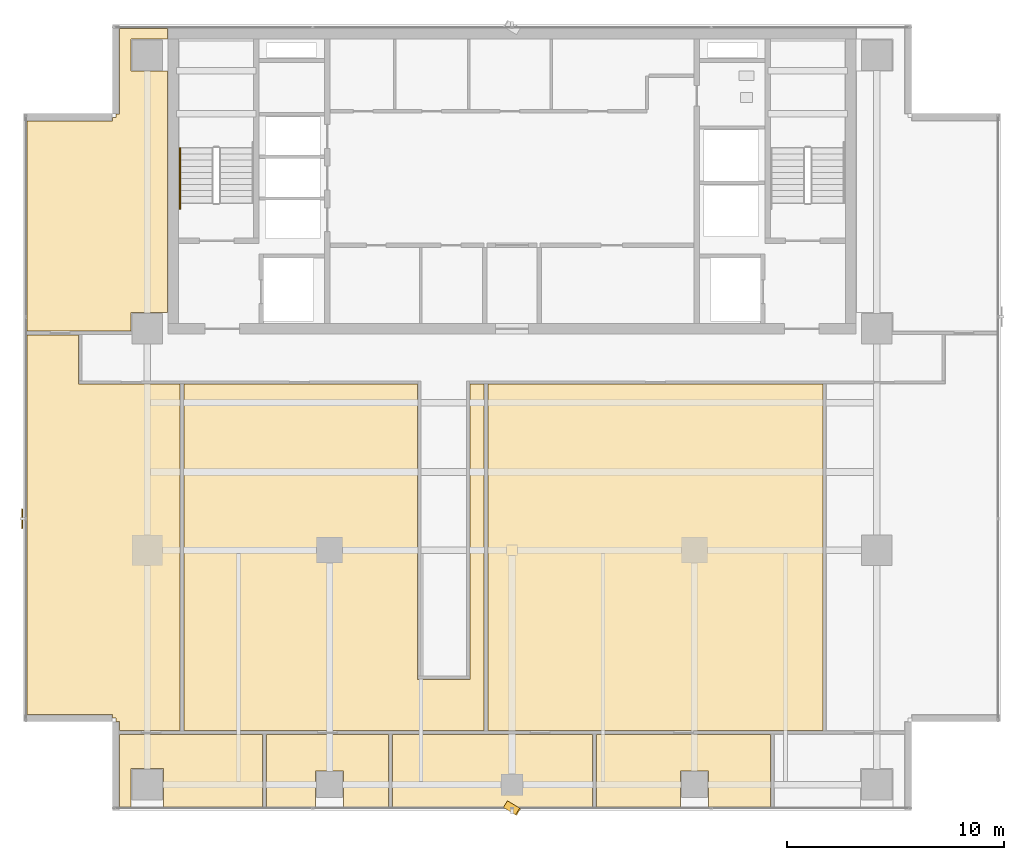
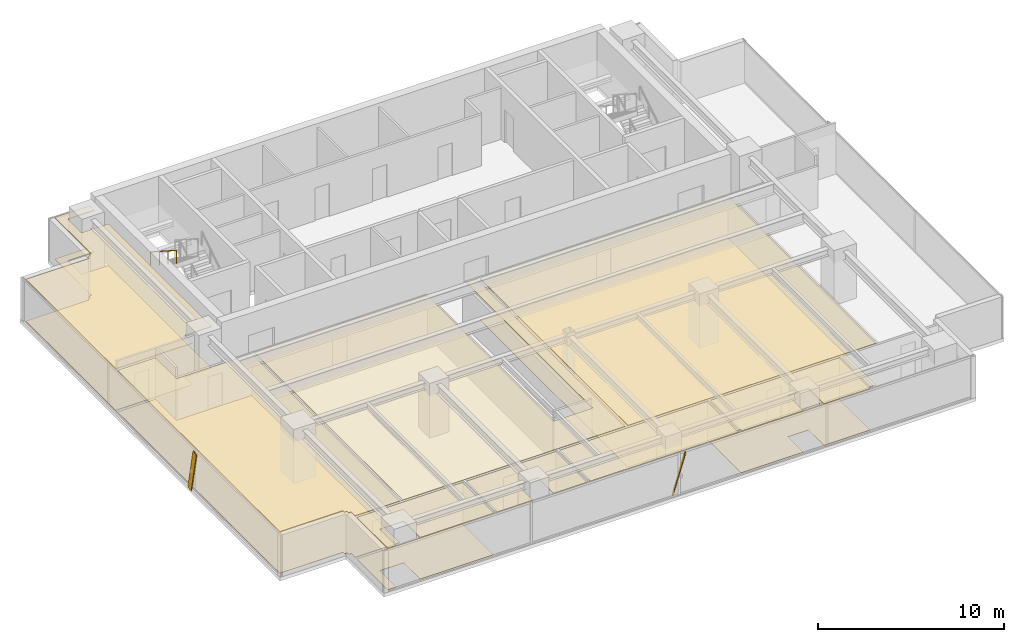
# One storey, part 22 of 25: 13 coverings, 2 shading devices, 1 railing.
"""IFC4 building model written with IfcOpenShell, lengths in metres."""

import ifcopenshell
import ifcopenshell.guid

model = None  # the IFC model being written
_history = None  # IfcOwnerHistory: only IFC2X3 demands one
_inside = {}  # id of a spatial element -> (the spatial element, [elements in it])
_under = {}  # id of a project, library or spatial element -> (it, [spatial elements below it])
_declared = {}  # id of a project -> (the project, [libraries it declares])
_typed = {}  # id of a type object -> (the type object, [elements of that type])
_made_of = {}  # id of a material, layer set ... -> (it, [elements and type objects made of it])


def new_model(schema):
    """Start an empty IFC model of exactly this schema.

    Asked for "IFC4X3", IfcOpenShell would pick the latest addendum, in which some entities
    have other attributes; the version numbers below select the first issue.
    IFC2X3 requires an IfcOwnerHistory on every rooted entity: one is made here for all.
    """
    global model, _history
    if schema == "IFC4X3":
        model = ifcopenshell.file(schema_version=(4, 3, 0, 0))
    else:
        model = ifcopenshell.file(schema=schema)
    _inside.clear()
    _under.clear()
    _declared.clear()
    _typed.clear()
    _made_of.clear()
    _history = None
    if model.schema == "IFC2X3":
        org = make("IfcOrganization", Name="unknown")
        user = make(
            "IfcPersonAndOrganization",
            ThePerson=make("IfcPerson", FamilyName="unknown"),
            TheOrganization=org,
        )
        app = make(
            "IfcApplication",
            ApplicationDeveloper=org,
            Version="unknown",
            ApplicationFullName="unknown",
            ApplicationIdentifier="unknown",
        )
        _history = make(
            "IfcOwnerHistory",
            OwningUser=user,
            OwningApplication=app,
            ChangeAction="ADDED",
            CreationDate=0,
        )
    return model


def make(cls, **values):
    """One entity of the class cls with the attributes given. An attribute that is None is left unset."""
    return model.create_entity(
        cls, **{name: value for name, value in values.items() if value is not None}
    )


def rooted(cls, **values):
    """An entity with a GlobalId (a new one), such as an element, a storey or a relation."""
    return make(cls, GlobalId=ifcopenshell.guid.new(), OwnerHistory=_history, **values)


def si_unit(unit_type, name, prefix=None):
    """IfcSIUnit, for example si_unit("LENGTHUNIT", "METRE", prefix="MILLI")."""
    return make("IfcSIUnit", UnitType=unit_type, Prefix=prefix, Name=name)


def assignment(units):
    """IfcUnitAssignment: the units of a project."""
    return None if units is None else make("IfcUnitAssignment", Units=units)


def point(xyz):
    """IfcCartesianPoint."""
    return None if xyz is None else make("IfcCartesianPoint", Coordinates=xyz)


def direction(xyz):
    """IfcDirection."""
    return None if xyz is None else make("IfcDirection", DirectionRatios=xyz)


def frame(location, z_axis=None, x_axis=None):
    """IfcAxis2Placement3D, a coordinate frame: its origin and axes. An axis left out is left unset."""
    return make(
        "IfcAxis2Placement3D",
        Location=point(location),
        Axis=direction(z_axis),
        RefDirection=direction(x_axis),
    )


def frame_2d(location, x_axis=None):
    """IfcAxis2Placement2D, a coordinate frame in the plane: its origin and x axis."""
    return make(
        "IfcAxis2Placement2D", Location=point(location), RefDirection=direction(x_axis)
    )


def origin():
    """The frame at (0, 0, 0) with its axes left unset."""
    return frame((0.0, 0.0, 0.0))


def origin_2d():
    """The frame at (0, 0) in the plane with its x axis left unset."""
    return frame_2d((0.0, 0.0))


def place(relative_to, where):
    """IfcLocalPlacement: puts the frame where relative to a parent placement (None: the world)."""
    return make(
        "IfcLocalPlacement", PlacementRelTo=relative_to, RelativePlacement=where
    )


def context(
    kind, dimensions, precision=None, world=None, true_north=None, identifier=None
):
    """IfcGeometricRepresentationContext, for example the 3D "Model" context."""
    return make(
        "IfcGeometricRepresentationContext",
        ContextIdentifier=identifier,
        ContextType=kind,
        CoordinateSpaceDimension=dimensions,
        Precision=precision,
        WorldCoordinateSystem=world,
        TrueNorth=true_north,
    )


def subcontext(parent, identifier, kind, view, scale=None):
    """IfcGeometricRepresentationSubContext, for example "Body" below "Model"."""
    return make(
        "IfcGeometricRepresentationSubContext",
        ContextIdentifier=identifier,
        ContextType=kind,
        ParentContext=parent,
        TargetScale=scale,
        TargetView=view,
    )


def project(units=None, contexts=None):
    """IfcProject with its units and contexts."""
    return rooted(
        "IfcProject",
        Name="project",
        RepresentationContexts=contexts,
        UnitsInContext=assignment(units),
    )


def spatial(cls, under=None, at=None, **own):
    """A site, building, storey or space (cls), placed at a placement, below another one or the project."""
    s = rooted(cls, ObjectPlacement=at, **own)
    if under is not None:
        _under.setdefault(under.id(), (under, []))[1].append(s)
    return s


def polyline(points):
    """IfcPolyline through the points."""
    return make("IfcPolyline", Points=[point(p) for p in points])


def profile(cls, at=None, kind="AREA", **sizes):
    """A parametric profile (cls). Its sizes go by their IFC names, for example OverallWidth=200.0."""
    return make(cls, ProfileType=kind, Position=at, **sizes)


def rectangle(**sizes):
    """IfcRectangleProfileDef."""
    return profile("IfcRectangleProfileDef", **sizes)


def outline(outer, holes=None, kind="AREA"):
    """IfcArbitraryClosedProfileDef: a profile drawn as a closed curve; with holes, ...WithVoids."""
    if holes is None:
        return make("IfcArbitraryClosedProfileDef", ProfileType=kind, OuterCurve=outer)
    return make(
        "IfcArbitraryProfileDefWithVoids",
        ProfileType=kind,
        OuterCurve=outer,
        InnerCurves=holes,
    )


def extrude(swept, where, along, depth):
    """IfcExtrudedAreaSolid: the profile swept, set in the frame where, extruded along a direction by depth."""
    return make(
        "IfcExtrudedAreaSolid",
        SweptArea=swept,
        Position=where,
        ExtrudedDirection=direction(along),
        Depth=depth,
    )


def shape(context_of_items, identifier, shape_type, items):
    """IfcShapeRepresentation: the items that make up one representation, for example the "Body"."""
    return make(
        "IfcShapeRepresentation",
        ContextOfItems=context_of_items,
        RepresentationIdentifier=identifier,
        RepresentationType=shape_type,
        Items=items,
    )


def source(mapping_origin, context_of_items, identifier, shape_type, items):
    """IfcRepresentationMap: a shape defined once, which mapped items show again and again."""
    return make(
        "IfcRepresentationMap",
        MappingOrigin=mapping_origin,
        MappedRepresentation=shape(context_of_items, identifier, shape_type, items),
    )


def transform(
    local_origin,
    x_axis=None,
    y_axis=None,
    z_axis=None,
    scale=None,
    scale2=None,
    scale3=None,
    uniform=True,
):
    """IfcCartesianTransformationOperator3D, or its non-uniform kind. x_axis, y_axis, z_axis: its Axis1, 2, 3."""
    if uniform:
        return make(
            "IfcCartesianTransformationOperator3D",
            Axis1=direction(x_axis),
            Axis2=direction(y_axis),
            LocalOrigin=point(local_origin),
            Scale=scale,
            Axis3=direction(z_axis),
        )
    return make(
        "IfcCartesianTransformationOperator3DnonUniform",
        Axis1=direction(x_axis),
        Axis2=direction(y_axis),
        LocalOrigin=point(local_origin),
        Scale=scale,
        Axis3=direction(z_axis),
        Scale2=scale2,
        Scale3=scale3,
    )


def mapped(mapping_source, mapping_target):
    """IfcMappedItem: shows the shape of a source again, moved by a transform."""
    return make(
        "IfcMappedItem", MappingSource=mapping_source, MappingTarget=mapping_target
    )


def material(Name=None, Category=None):
    """IfcMaterial."""
    return make("IfcMaterial", Name=Name, Category=Category)


def layer(
    of_material, thickness, ventilated=None, Name=None, Category=None, Priority=None
):
    """IfcMaterialLayer: one layer of a wall or slab, of a material (None: an air gap)."""
    return make(
        "IfcMaterialLayer",
        Material=of_material,
        LayerThickness=thickness,
        IsVentilated=ventilated,
        Name=Name,
        Category=Category,
        Priority=Priority,
    )


def layer_set(layers, Name=None):
    """IfcMaterialLayerSet."""
    return make("IfcMaterialLayerSet", MaterialLayers=layers, LayerSetName=Name)


def material_profile(
    of_material, cross_section, Name=None, Category=None, Priority=None
):
    """IfcMaterialProfile: a cross section and its material."""
    return make(
        "IfcMaterialProfile",
        Name=Name,
        Material=of_material,
        Profile=cross_section,
        Priority=Priority,
        Category=Category,
    )


def profile_set(profiles, Name=None, composite=None):
    """IfcMaterialProfileSet."""
    return make(
        "IfcMaterialProfileSet",
        Name=Name,
        MaterialProfiles=profiles,
        CompositeProfile=composite,
    )


def made_of(thing, what):
    """Note that an element or type object is made of a material, layer set ...; save() writes the relation."""
    if what is not None:
        _made_of.setdefault(what.id(), (what, []))[1].append(thing)
    return thing


def type_object(cls, material=None, **own):
    """A type object (cls), such as IfcWallType, which elements share."""
    return made_of(rooted(cls, **own), material)


def element(
    cls,
    number,
    at=None,
    inside=None,
    cuts=None,
    type_object=None,
    material=None,
    context=None,
    identifier="Body",
    shape_type=None,
    held_by="IfcProductDefinitionShape",
    body=None,
    shapes=None,
    **own,
):
    """One element of the class cls, such as IfcWall. Its Tag is "e" and its number.

    at: its placement. inside: the storey or other place that contains it. cuts: it is an
    opening in that element (IfcRelVoidsElement). A single representation is given by context,
    identifier, shape_type and body (its items); several are given by shapes. held_by: the class
    of the entity that holds the representations. save() writes the other relations.
    """
    e = rooted(cls, Tag="e%d" % number, ObjectPlacement=at, **own)
    if body is not None:
        shapes = [shape(context, identifier, shape_type, body)]
    if shapes is not None:
        e.Representation = make(held_by, Representations=shapes)
    if inside is not None:
        _inside.setdefault(inside.id(), (inside, []))[1].append(e)
    if cuts is not None:
        rooted(
            "IfcRelVoidsElement", RelatingBuildingElement=cuts, RelatedOpeningElement=e
        )
    if type_object is not None:
        _typed.setdefault(type_object.id(), (type_object, []))[1].append(e)
    return made_of(e, material)


def aggregate(whole, parts):
    """IfcRelAggregates: a whole, such as a stair, and the parts it consists of."""
    return rooted("IfcRelAggregates", RelatingObject=whole, RelatedObjects=parts)


def save(model, path):
    """Write the relations noted so far, then the file.

    IfcRelAggregates (storeys below a building ...), IfcRelContainedInSpatialStructure (elements
    in a storey), IfcRelDefinesByType, IfcRelAssociatesMaterial and IfcRelDeclares: one each for
    every whole, place, type object, material and project.
    """
    for whole, parts in _under.values():
        aggregate(whole, parts)
    for where, things in _inside.values():
        rooted(
            "IfcRelContainedInSpatialStructure",
            RelatedElements=things,
            RelatingStructure=where,
        )
    for kind, things in _typed.values():
        rooted("IfcRelDefinesByType", RelatedObjects=things, RelatingType=kind)
    for what, things in _made_of.values():
        rooted("IfcRelAssociatesMaterial", RelatedObjects=things, RelatingMaterial=what)
    for by, libraries in _declared.values():
        rooted("IfcRelDeclares", RelatingContext=by, RelatedDefinitions=libraries)
    model.write(path)


model = new_model("IFC4")

# Units and contexts
model_context = context("Model", 3, precision=1e-05, world=origin(), true_north=direction((0.0, 1.0)))
body_context = subcontext(model_context, "Body", "Model", "MODEL_VIEW")
ifc_project = project(units=[si_unit("LENGTHUNIT", "METRE"), si_unit("AREAUNIT", "SQUARE_METRE"), si_unit("VOLUMEUNIT", "CUBIC_METRE"), si_unit("PLANEANGLEUNIT", "RADIAN"), si_unit("MASSUNIT", "GRAM", prefix="KILO")], contexts=[model_context])

# Site, building, storey
site_placement = place(None, origin())
site = spatial("IfcSite", under=ifc_project, at=site_placement, CompositionType="ELEMENT")
building_placement = place(site_placement, origin())
building = spatial("IfcBuilding", under=site, at=building_placement, Name="Sumidabori Civic Tower", CompositionType="ELEMENT")
storey_placement = place(building_placement, frame((0.0, 0.0, 232.39990234375)))
storey = spatial("IfcBuildingStorey", under=building, at=storey_placement, Name="L60", CompositionType="ELEMENT", Elevation=232.39990234375)

# Coverings
ifc_material_1 = material(Name="Perforated Timber Acoustic Ceiling", Category="wood")
ifc_layer_1 = layer(ifc_material_1, 0.044921875, Name="Perforated Timber Acoustic Ceiling")
ifc_layer_set_1 = layer_set([ifc_layer_1], Name="Perforated Timber Acoustic Ceiling")
covering_type_1 = type_object("IfcCoveringType", Name="CV-CEIL-AC2", PredefinedType="CEILING", material=ifc_layer_set_1)
covering_1_placement = place(storey_placement, frame((0.0, 0.0, 2.72021484375)))
element("IfcCovering", 1, at=covering_1_placement, inside=storey, type_object=covering_type_1, Name="Room Acoustic Ceiling L60-01", PredefinedType="CEILING", context=body_context, shape_type="SweptSolid", body=[
    extrude(outline(polyline([(-22.330078125, 10.08740234375), (-22.330078125, 19.77197265625), (-18.39208984375, 19.77197265625), (-18.39208984375, 19.929931640625), (-18.22998046875, 19.929931640625), (-18.22998046875, 20.092041015625), (-18.072021484375, 20.092041015625), (-18.072021484375, 24.030029296875), (-15.8779296875, 24.030029296875), (-15.8779296875, 23.5400390625), (-17.5400390625, 23.5400390625), (-17.5400390625, 22.06005859375), (-15.8779296875, 22.06005859375), (-15.8779296875, 10.93994140625), (-17.5400390625, 10.93994140625), (-17.5400390625, 10.10498046875), (-19.955078125, 10.10498046875), (-19.955078125, 10.08740234375), (-22.330078125, 10.08740234375)])), origin(), (0.0, 0.0, 1.0), 0.044921875),
])
covering_2_placement = place(storey_placement, frame((0.0, 0.0, 2.72021484375)))
element("IfcCovering", 2, at=covering_2_placement, inside=storey, type_object=covering_type_1, Name="Room Acoustic Ceiling L60-03", PredefinedType="CEILING", context=body_context, shape_type="SweptSolid", body=[
    extrude(outline(polyline([(-22.330078125, -7.572021484375), (-22.330078125, 9.91259765625), (-19.955078125, 9.91259765625), (-19.955078125, 7.64501953125), (-15.28759765625, 7.64501953125), (-15.28759765625, -8.3125), (-18.072021484375, -8.3125), (-18.072021484375, -7.89208984375), (-18.22998046875, -7.89208984375), (-18.22998046875, -7.72998046875), (-18.39208984375, -7.72998046875), (-18.39208984375, -7.572021484375), (-22.330078125, -7.572021484375)])), origin(), (0.0, 0.0, 1.0), 0.044921875),
])
covering_3_placement = place(storey_placement, frame((0.0, 0.0, 2.72021484375)))
element("IfcCovering", 3, at=covering_3_placement, inside=storey, type_object=covering_type_1, Name="Room Acoustic Ceiling L60-05", PredefinedType="CEILING", context=body_context, shape_type="SweptSolid", body=[
    extrude(outline(polyline([(-1.112548828125, -8.3125), (-1.112548828125, 7.64501953125), (14.3125, 7.64501953125), (14.3125, -8.3125), (-1.112548828125, -8.3125)])), origin(), (0.0, 0.0, 1.0), 0.044921875),
])
covering_4_placement = place(storey_placement, frame((0.0, 0.0, 2.72021484375)))
element("IfcCovering", 4, at=covering_4_placement, inside=storey, type_object=covering_type_1, Name="Room Acoustic Ceiling L60-06", PredefinedType="CEILING", context=body_context, shape_type="SweptSolid", body=[
    extrude(outline(polyline([(-15.112548828125, -8.3125), (-15.112548828125, 7.64501953125), (-4.35498046875, 7.64501953125), (-4.35498046875, -5.955078125), (-1.945068359375, -5.955078125), (-1.945068359375, 7.64501953125), (-1.28759765625, 7.64501953125), (-1.28759765625, -8.3125), (-15.112548828125, -8.3125)])), origin(), (0.0, 0.0, 1.0), 0.044921875),
])
covering_5_placement = place(storey_placement, frame((0.0, 0.0, 2.72021484375)))
element("IfcCovering", 5, at=covering_5_placement, inside=storey, type_object=covering_type_1, Name="Room Acoustic Ceiling L60-07", PredefinedType="CEILING", context=body_context, shape_type="SweptSolid", body=[
    extrude(outline(polyline([(-11.487548828125, -8.487548828125), (-11.487548828125, -11.830078125), (-16.06005859375, -11.830078125), (-16.06005859375, -10.06005859375), (-17.5400390625, -10.06005859375), (-17.5400390625, -11.830078125), (-18.072021484375, -11.830078125), (-18.072021484375, -8.487548828125), (-11.487548828125, -8.487548828125)])), origin(), (0.0, 0.0, 1.0), 0.044921875),
])
covering_6_placement = place(storey_placement, frame((0.0, 0.0, 2.72021484375)))
element("IfcCovering", 6, at=covering_6_placement, inside=storey, type_object=covering_type_1, Name="Room Acoustic Ceiling L60-08", PredefinedType="CEILING", context=body_context, shape_type="SweptSolid", body=[
    extrude(outline(polyline([(-5.6875, -8.487548828125), (-5.6875, -11.830078125), (-7.760009765625, -11.830078125), (-7.760009765625, -10.159912109375), (-9.0400390625, -10.159912109375), (-9.0400390625, -11.830078125), (-11.3125, -11.830078125), (-11.3125, -8.487548828125), (-5.6875, -8.487548828125)])), origin(), (0.0, 0.0, 1.0), 0.044921875),
])
covering_7_placement = place(storey_placement, frame((0.0, 0.0, 2.72021484375)))
element("IfcCovering", 7, at=covering_7_placement, inside=storey, type_object=covering_type_1, Name="Room Acoustic Ceiling L60-10", PredefinedType="CEILING", context=body_context, shape_type="SweptSolid", body=[
    extrude(outline(polyline([(3.71240234375, -8.487548828125), (3.71240234375, -11.830078125), (-5.512451171875, -11.830078125), (-5.512451171875, -8.487548828125), (3.71240234375, -8.487548828125)])), origin(), (0.0, 0.0, 1.0), 0.044921875),
])
covering_8_placement = place(storey_placement, frame((0.0, 0.0, 2.72021484375)))
element("IfcCovering", 8, at=covering_8_placement, inside=storey, type_object=covering_type_1, Name="Room Acoustic Ceiling L60-11", PredefinedType="CEILING", context=body_context, shape_type="SweptSolid", body=[
    extrude(outline(polyline([(11.91259765625, -8.487548828125), (11.91259765625, -11.830078125), (9.0400390625, -11.830078125), (9.0400390625, -10.159912109375), (7.760009765625, -10.159912109375), (7.760009765625, -11.830078125), (3.887451171875, -11.830078125), (3.887451171875, -8.487548828125), (11.91259765625, -8.487548828125)])), origin(), (0.0, 0.0, 1.0), 0.044921875),
])
ifc_material_2 = material(Name="Honed Terrazzo Tile Flooring")
ifc_layer_2 = layer(ifc_material_2, 0.030029296875, Name="Honed Terrazzo Tile Flooring")
ifc_layer_set_2 = layer_set([ifc_layer_2], Name="Honed Terrazzo Tile Flooring")
covering_type_2 = type_object("IfcCoveringType", Name="CV-FLR-TER", PredefinedType="FLOORING", material=ifc_layer_set_2)
covering_9_placement = place(storey_placement, origin())
element("IfcCovering", 9, at=covering_9_placement, inside=storey, type_object=covering_type_2, Name="Room Terrazzo Floor L60-01", PredefinedType="FLOORING", context=body_context, shape_type="SweptSolid", body=[
    extrude(outline(polyline([(-22.330078125, 10.08740234375), (-22.330078125, 19.77197265625), (-18.39208984375, 19.77197265625), (-18.39208984375, 19.929931640625), (-18.22998046875, 19.929931640625), (-18.22998046875, 20.092041015625), (-18.072021484375, 20.092041015625), (-18.072021484375, 24.030029296875), (-15.8779296875, 24.030029296875), (-15.8779296875, 23.5400390625), (-17.5400390625, 23.5400390625), (-17.5400390625, 22.06005859375), (-15.8779296875, 22.06005859375), (-15.8779296875, 10.93994140625), (-17.5400390625, 10.93994140625), (-17.5400390625, 10.10498046875), (-19.955078125, 10.10498046875), (-19.955078125, 10.08740234375), (-22.330078125, 10.08740234375)])), origin(), (0.0, 0.0, 1.0), 0.030029296875),
])
covering_10_placement = place(storey_placement, origin())
element("IfcCovering", 10, at=covering_10_placement, inside=storey, type_object=covering_type_2, Name="Room Terrazzo Floor L60-03", PredefinedType="FLOORING", context=body_context, shape_type="SweptSolid", body=[
    extrude(outline(polyline([(-22.330078125, -7.572021484375), (-22.330078125, 9.91259765625), (-19.955078125, 9.91259765625), (-19.955078125, 7.64501953125), (-15.28759765625, 7.64501953125), (-15.28759765625, -8.3125), (-18.072021484375, -8.3125), (-18.072021484375, -7.89208984375), (-18.22998046875, -7.89208984375), (-18.22998046875, -7.72998046875), (-18.39208984375, -7.72998046875), (-18.39208984375, -7.572021484375), (-22.330078125, -7.572021484375)])), origin(), (0.0, 0.0, 1.0), 0.030029296875),
])
covering_11_placement = place(storey_placement, origin())
element("IfcCovering", 11, at=covering_11_placement, inside=storey, type_object=covering_type_2, Name="Room Terrazzo Floor L60-05", PredefinedType="FLOORING", context=body_context, shape_type="SweptSolid", body=[
    extrude(outline(polyline([(-1.112548828125, -8.3125), (-1.112548828125, 7.64501953125), (14.3125, 7.64501953125), (14.3125, -8.3125), (-1.112548828125, -8.3125)])), origin(), (0.0, 0.0, 1.0), 0.030029296875),
])
covering_12_placement = place(storey_placement, origin())
element("IfcCovering", 12, at=covering_12_placement, inside=storey, type_object=covering_type_2, Name="Room Terrazzo Floor L60-07", PredefinedType="FLOORING", context=body_context, shape_type="SweptSolid", body=[
    extrude(outline(polyline([(-11.487548828125, -8.487548828125), (-11.487548828125, -11.830078125), (-16.06005859375, -11.830078125), (-16.06005859375, -10.06005859375), (-17.5400390625, -10.06005859375), (-17.5400390625, -11.830078125), (-18.072021484375, -11.830078125), (-18.072021484375, -8.487548828125), (-11.487548828125, -8.487548828125)])), origin(), (0.0, 0.0, 1.0), 0.030029296875),
])
covering_13_placement = place(storey_placement, origin())
element("IfcCovering", 13, at=covering_13_placement, inside=storey, type_object=covering_type_2, Name="Room Terrazzo Floor L60-11", PredefinedType="FLOORING", context=body_context, shape_type="SweptSolid", body=[
    extrude(outline(polyline([(11.91259765625, -8.487548828125), (11.91259765625, -11.830078125), (9.0400390625, -11.830078125), (9.0400390625, -10.159912109375), (7.760009765625, -10.159912109375), (7.760009765625, -11.830078125), (3.887451171875, -11.830078125), (3.887451171875, -8.487548828125), (11.91259765625, -8.487548828125)])), origin(), (0.0, 0.0, 1.0), 0.030029296875),
])

# Railing
ifc_material_3 = material(Name="Stainless Steel Hairline Finish", Category="steel")
railing_type = type_object("IfcRailingType", Name="RL-HANDRAIL", PredefinedType="HANDRAIL", material=ifc_material_3)
railing_placement = place(storey_placement, frame((-15.2900390625, 18.52001953125, 1.97998046875)))
element("IfcRailing", 14, at=railing_placement, inside=storey, type_object=railing_type, Name="L60 ST-1 stair handrail 2", PredefinedType="HANDRAIL", context=body_context, shape_type="SweptSolid", body=[
    extrude(rectangle(XDim=0.048095703125, YDim=0.048095703125, at=origin_2d()), frame((0.0, 0.0, 0.8759765625), z_axis=(0.0, -0.84064222762, 0.54159084662), x_axis=(1.0, 0.0, 0.0)), (0.0, 0.0, 1.0), 3.330810546875),
    extrude(rectangle(XDim=0.0419921875, YDim=0.0419921875, at=origin_2d()), origin(), (0.0, 0.0, 1.0), 0.851806640625),
    extrude(rectangle(XDim=0.0419921875, YDim=0.0419921875, at=origin_2d()), frame((0.0, -0.933349609375, 0.601318359375)), (0.0, 0.0, 1.0), 0.851806640625),
    extrude(rectangle(XDim=0.0419921875, YDim=0.0419921875, at=origin_2d()), frame((0.0, -1.86669921875, 1.20263671875)), (0.0, 0.0, 1.0), 0.851806640625),
    extrude(rectangle(XDim=0.0419921875, YDim=0.0419921875, at=origin_2d()), frame((0.0, -2.800048828125, 1.803955078125)), (0.0, 0.0, 1.0), 0.851806640625),
])

# Shading devices
ifc_material_4 = material(Name="Anodised Bronze Aluminium AW-6063-T6", Category="aluminium")
ifc_material_profile = material_profile(ifc_material_4, rectangle(XDim=0.054931640625, YDim=0.360107421875, at=origin_2d()), Name="BRONZE FIN 360x55")
ifc_profile_set = profile_set([ifc_material_profile], Name="Anodised Bronze Aluminium AW-6063-T6")
shading_device_type = type_object("IfcShadingDeviceType", Name="SH-FIN-360", PredefinedType="USERDEFINED", material=ifc_profile_set)
shared_shape_1 = source(origin(), body_context, "Body", "SweptSolid", [
    extrude(rectangle(XDim=0.054931640625, YDim=0.360107421875, at=origin_2d()), origin(), (0.0, 0.0, 1.0), 2.768798828125),
])
shading_device_1_placement = place(storey_placement, frame((-0.280029296875, -11.7099609375, 0.02001953125), z_axis=(0.202272600211, -0.122827258978, 0.971596243126), x_axis=(0.830473922694, -0.504293885925, -0.236644755582)))
element("IfcShadingDevice", 15, at=shading_device_1_placement, inside=storey, type_object=shading_device_type, Name="Bronze Anodised Diagonal Fin L60-02", ObjectType="FIN", PredefinedType="USERDEFINED", context=body_context, shape_type="MappedRepresentation", body=[
    mapped(shared_shape_1, transform((0.0, 0.0, 0.0), x_axis=(1.0, 0.0, 0.0), y_axis=(0.0, 1.0, 0.0), z_axis=(0.0, 0.0, 1.0), scale=1.0)),
])
shared_shape_2 = source(origin(), body_context, "Body", "SweptSolid", [
    extrude(rectangle(XDim=0.054931640625, YDim=0.360107421875, at=origin_2d()), origin(), (0.0, 0.0, 1.0), 2.747802734375),
])
shading_device_2_placement = place(storey_placement, frame((-22.550048828125, 1.723388671875, 0.02001953125), z_axis=(0.0, -0.203815880787, 0.97900923731), x_axis=(-1.0, 0.0, 0.0)))
element("IfcShadingDevice", 16, at=shading_device_2_placement, inside=storey, type_object=shading_device_type, Name="Bronze Anodised Diagonal Fin L60-02", ObjectType="FIN", PredefinedType="USERDEFINED", context=body_context, shape_type="MappedRepresentation", body=[
    mapped(shared_shape_2, transform((0.0, 0.0, 0.0), x_axis=(1.0, 0.0, 0.0), y_axis=(0.0, 1.0, 0.0), z_axis=(0.0, 0.0, 1.0), scale=1.0)),
])

save(model, "model.ifc")
